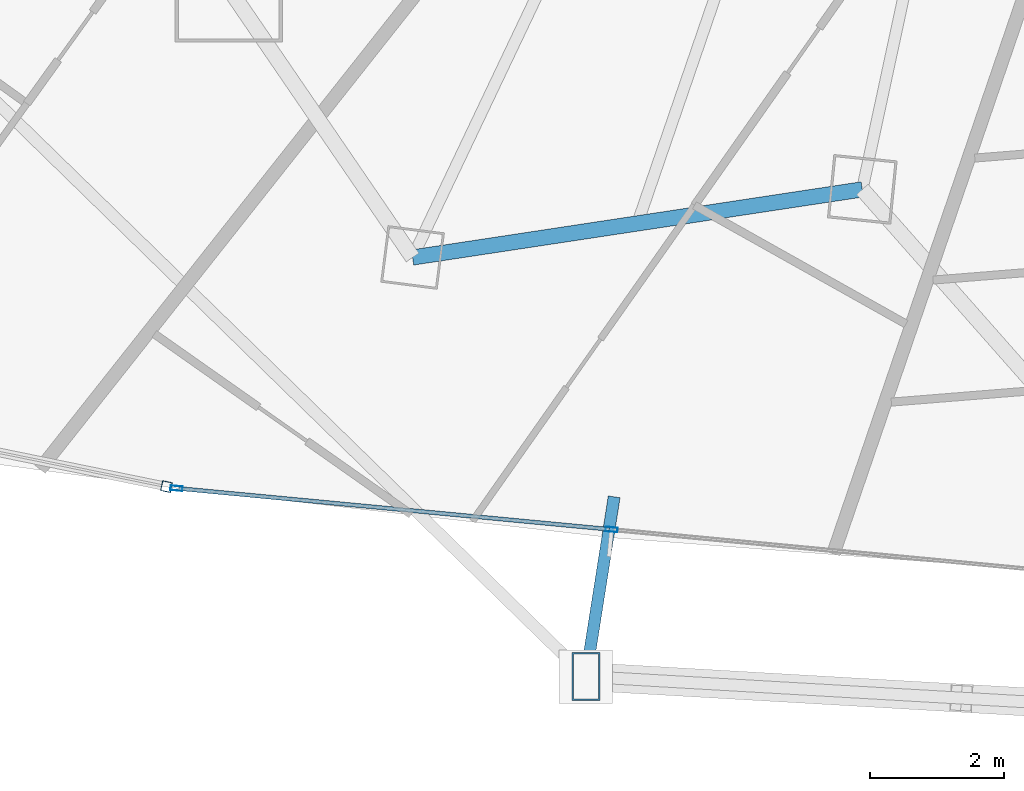
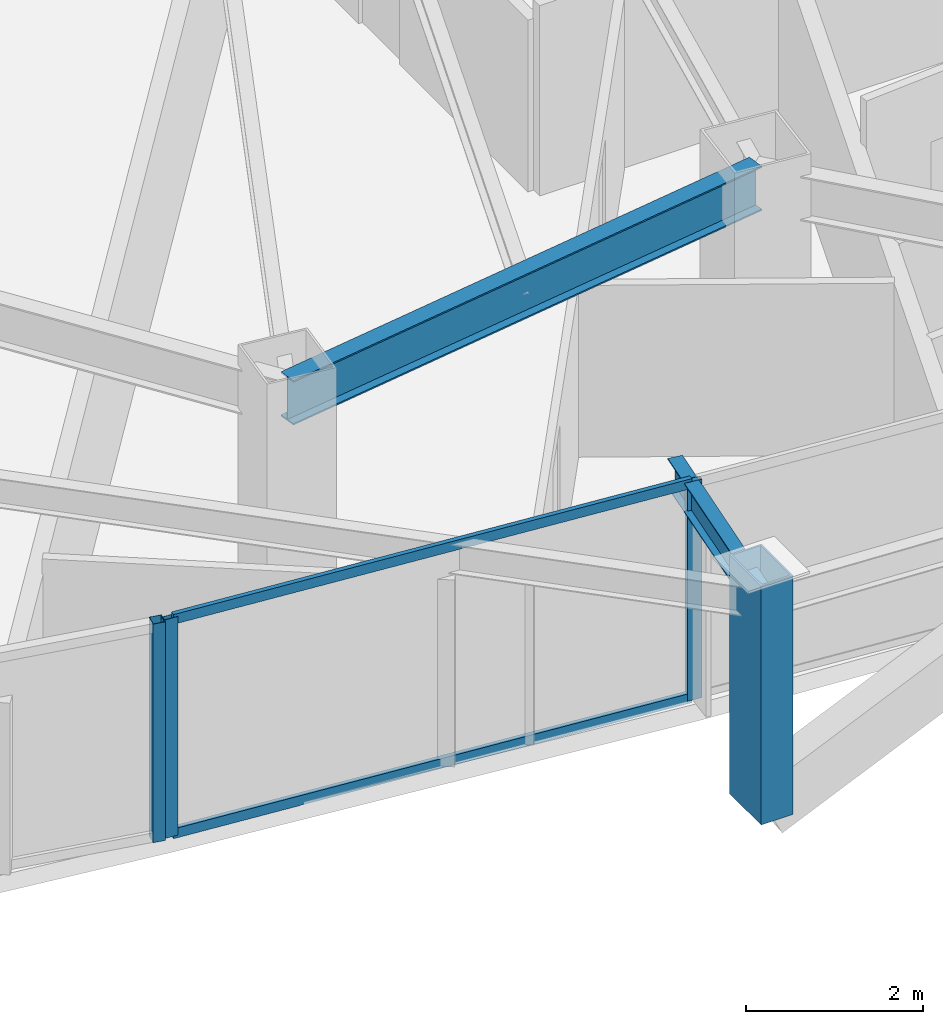
# One storey, part 4 of 38: 6 members, 2 beams, 2 elements without a shape of their own.
"""IFC4 building model written with IfcOpenShell, lengths in metres."""

from ifc_helpers import new_model, si_unit, direction, frame, origin, origin_2d, place, context, subcontext, project, spatial, hollow_rectangle, i_section, extrude, material, layer, layer_set, material_profile, profile_set, type_object, element, aggregate, save


model = new_model("IFC4")

# Units and contexts
model_context = context("Model", 3, precision=1e-05, world=origin(), true_north=direction((0.0, 1.0)))
body_context = subcontext(model_context, "Body", "Model", "MODEL_VIEW")
ifc_project = project(units=[si_unit("LENGTHUNIT", "METRE"), si_unit("AREAUNIT", "SQUARE_METRE"), si_unit("VOLUMEUNIT", "CUBIC_METRE"), si_unit("PLANEANGLEUNIT", "RADIAN"), si_unit("MASSUNIT", "GRAM", prefix="KILO")], contexts=[model_context])

# Site, building, storey
site_placement = place(None, origin())
site = spatial("IfcSite", under=ifc_project, at=site_placement, CompositionType="ELEMENT")
building_placement = place(site_placement, origin())
building = spatial("IfcBuilding", under=site, at=building_placement, Name="Orvanel Arch Residences", CompositionType="ELEMENT")
storey_placement = place(building_placement, frame((0.0, 0.0, 56.60009765625)))
storey = spatial("IfcBuildingStorey", under=building, at=storey_placement, Name="L15", CompositionType="ELEMENT", Elevation=56.60009765625)

# Member
ifc_material_1 = material(Name="Structural steel AS/NZS 3678 Grade 350", Category="steel")
ifc_material_profile_1 = material_profile(ifc_material_1, hollow_rectangle(XDim=0.419921875, YDim=0.719970703125, WallThickness=0.02490234375, at=origin_2d()), Name="RHS720x420x25")
ifc_profile_set_1 = profile_set([ifc_material_profile_1], Name="Structural steel AS/NZS 3678 Grade 350")
member_type_1 = type_object("IfcMemberType", Name="CH-720RHS-EXT", PredefinedType="CHORD", material=ifc_profile_set_1)
member_1_placement = place(storey_placement, frame((19.52587890625, 0.087890625, 0.0), z_axis=(0.0, 0.0, 1.0), x_axis=(1.0, 0.0, 0.0)))
element("IfcMember", 1, at=member_1_placement, inside=storey, type_object=member_type_1, Name="L15 Outer Perimeter Frame Post 05", PredefinedType="CHORD", context=body_context, shape_type="SweptSolid", body=[
    extrude(hollow_rectangle(XDim=0.419921875, YDim=0.719970703125, WallThickness=0.02490234375, at=origin_2d()), origin(), (0.0, 0.0, 1.0), 3.2998046875),
])

# Curtain wall, member
ifc_material_2 = material(Name="Bronze-anodised aluminium AA6063-T6", Category="aluminium")
ifc_layer_1 = layer(ifc_material_2, 0.18994140625)
ifc_layer_set_1 = layer_set([ifc_layer_1], Name="Bronze-anodised aluminium AA6063-T6")
curtain_wall_type_1 = type_object("IfcCurtainWallType", Name="CW5-CRN-SYS", PredefinedType="NOTDEFINED", material=ifc_layer_set_1)
curtain_wall_1_placement = place(storey_placement, origin())
curtain_wall_1 = element("IfcCurtainWall", 2, at=curtain_wall_1_placement, inside=storey, type_object=curtain_wall_type_1, Name="L15 CW5-CRN-SYS Unitised Curtain Wall", PredefinedType="NOTDEFINED")
ifc_material_profile_2 = material_profile(ifc_material_2, hollow_rectangle(XDim=0.14990234375, YDim=0.14990234375, WallThickness=0.0048828125, at=origin_2d()), Name="ALU150x150x5")
ifc_profile_set_2 = profile_set([ifc_material_profile_2], Name="Bronze-anodised aluminium AA6063-T6")
member_type_2 = type_object("IfcMemberType", Name="MUL-150x150", PredefinedType="MULLION", material=ifc_profile_set_2)
member_2_placement = place(storey_placement, frame((13.2705078125, 2.9208984375, 0.0), z_axis=(0.0, 0.0, 1.0), x_axis=(0.200235937609, 0.979747706958, 0.0)))
member_2 = element("IfcMember", 3, at=member_2_placement, type_object=member_type_2, Name="CW-S5 mullion 3", PredefinedType="MULLION", context=body_context, shape_type="SweptSolid", body=[
    extrude(hollow_rectangle(XDim=0.14990234375, YDim=0.14990234375, WallThickness=0.0048828125, at=origin_2d()), origin(), (0.0, 0.0, 1.0), 3.02001953125),
])
aggregate(curtain_wall_1, [member_2])

# Curtain wall, members
ifc_layer_2 = layer(ifc_material_2, 0.179931640625)
ifc_layer_set_2 = layer_set([ifc_layer_2], Name="Bronze-anodised aluminium AA6063-T6")
curtain_wall_type_2 = type_object("IfcCurtainWallType", Name="CW2-LOW-SYS", PredefinedType="NOTDEFINED", material=ifc_layer_set_2)
curtain_wall_2_placement = place(storey_placement, origin())
curtain_wall_2 = element("IfcCurtainWall", 4, at=curtain_wall_2_placement, inside=storey, type_object=curtain_wall_type_2, Name="L15 CW2-LOW-SYS Unitised Curtain Wall", PredefinedType="NOTDEFINED")
ifc_material_profile_3 = material_profile(ifc_material_2, hollow_rectangle(XDim=0.070068359375, YDim=0.179931640625, WallThickness=0.00439453125, at=origin_2d()), Name="ALU180x70x4.5")
ifc_profile_set_3 = profile_set([ifc_material_profile_3], Name="Bronze-anodised aluminium AA6063-T6")
member_type_3 = type_object("IfcMemberType", Name="MUL-180x70", PredefinedType="MULLION", material=ifc_profile_set_3)
member_3_placement = place(storey_placement, frame((13.4189453125, 2.896728515625, 0.0), z_axis=(0.0, 0.0, 1.0), x_axis=(0.094434713682, 0.995531056699, 0.0)))
member_3 = element("IfcMember", 5, at=member_3_placement, type_object=member_type_3, Name="CW-S2 mullion 1", PredefinedType="MULLION", context=body_context, shape_type="SweptSolid", body=[
    extrude(hollow_rectangle(XDim=0.070068359375, YDim=0.179931640625, WallThickness=0.00439453125, at=origin_2d()), origin(), (0.0, 0.0, 1.0), 3.02001953125),
])
member_4_placement = place(storey_placement, frame((19.909423828125, 2.281005859375, 0.0), z_axis=(0.0, 0.0, 1.0), x_axis=(0.094434713682, 0.995531056699, 0.0)))
member_4 = element("IfcMember", 6, at=member_4_placement, type_object=member_type_3, Name="CW-S2 mullion 2", PredefinedType="MULLION", context=body_context, shape_type="SweptSolid", body=[
    extrude(hollow_rectangle(XDim=0.070068359375, YDim=0.179931640625, WallThickness=0.00439453125, at=origin_2d()), origin(), (0.0, 0.0, 1.0), 3.02001953125),
])

# Beams
ifc_material_3 = material(Name="Structural steel AS/NZS 3679.1 Grade 300 (300 MPa)", Category="steel")
ifc_material_profile_4 = material_profile(ifc_material_3, i_section(OverallWidth=0.177978515625, OverallDepth=0.406005859375, WebThickness=0.0078125, FlangeThickness=0.0126953125, at=origin_2d()), Name="410UB59.7")
ifc_profile_set_4 = profile_set([ifc_material_profile_4], Name="Structural steel AS/NZS 3679.1 Grade 300 (300 MPa)")
beam_type_1 = type_object("IfcBeamType", Name="OB-410UB-EXT", PredefinedType="SPANDREL", material=ifc_profile_set_4)
beam_1_placement = place(storey_placement, frame((19.947998046875, 2.76904296875, 2.81689453125), z_axis=(-0.155523747391, -0.987832153758, 0.0), x_axis=(0.987832153758, -0.155523747391, 0.0)))
element("IfcBeam", 7, at=beam_1_placement, inside=storey, type_object=beam_type_1, Name="L15 Outer Frame Radial Tie Beam 05", PredefinedType="SPANDREL", context=body_context, shape_type="SweptSolid", body=[
    extrude(i_section(OverallWidth=0.177978515625, OverallDepth=0.406005859375, WebThickness=0.0078125, FlangeThickness=0.0126953125, at=origin_2d()), origin(), (0.0, 0.0, 1.0), 2.714111328125),
])
ifc_material_profile_5 = material_profile(ifc_material_3, i_section(OverallWidth=0.22900390625, OverallDepth=0.612060546875, WebThickness=0.011962890625, FlangeThickness=0.01953125, at=origin_2d()), Name="610UB125")
ifc_profile_set_5 = profile_set([ifc_material_profile_5], Name="Structural steel AS/NZS 3679.1 Grade 300 (300 MPa)")
beam_type_2 = type_object("IfcBeamType", Name="SP-610UB", PredefinedType="SPANDREL", material=ifc_profile_set_5)
beam_2_placement = place(storey_placement, frame((16.94091796875, 6.339111328125, 2.7138671875), z_axis=(0.988726323014, 0.149733958002, 0.0), x_axis=(-0.149733958002, 0.988726323014, 0.0)))
element("IfcBeam", 8, at=beam_2_placement, inside=storey, type_object=beam_type_2, Name="L15 Perimeter Spandrel Beam 04", PredefinedType="SPANDREL", context=body_context, shape_type="SweptSolid", body=[
    extrude(i_section(OverallWidth=0.22900390625, OverallDepth=0.612060546875, WebThickness=0.011962890625, FlangeThickness=0.01953125, at=origin_2d()), origin(), (0.0, 0.0, 1.0), 6.784423828125),
])

# Member
ifc_material_profile_6 = material_profile(ifc_material_2, hollow_rectangle(XDim=0.06005859375, YDim=0.135009765625, WallThickness=0.00390625, at=origin_2d()), Name="ALU135x60x4")
ifc_profile_set_6 = profile_set([ifc_material_profile_6], Name="Bronze-anodised aluminium AA6063-T6")
member_type_4 = type_object("IfcMemberType", Name="TRN-135x60", PredefinedType="USERDEFINED", material=ifc_profile_set_6)
member_5_placement = place(storey_placement, frame((13.45361328125, 2.893310546875, 0.02978515625), z_axis=(0.995534176514, -0.094401818799, 0.0), x_axis=(0.094401818799, 0.995534176514, 0.0)))
member_5 = element("IfcMember", 9, at=member_5_placement, type_object=member_type_4, Name="CW-S2 transom 1.1", ObjectType="TRANSOM", PredefinedType="USERDEFINED", context=body_context, shape_type="SweptSolid", body=[
    extrude(hollow_rectangle(XDim=0.06005859375, YDim=0.135009765625, WallThickness=0.00390625, at=origin_2d()), origin(), (0.0, 0.0, 1.0), 6.449951171875),
])

member_6_placement = place(storey_placement, frame((13.45361328125, 2.893310546875, 2.989990234375), z_axis=(0.995534176514, -0.094401818799, 0.0), x_axis=(0.094401818799, 0.995534176514, 0.0)))
member_6 = element("IfcMember", 10, at=member_6_placement, type_object=member_type_4, Name="CW-S2 transom 1.2", ObjectType="TRANSOM", PredefinedType="USERDEFINED", context=body_context, shape_type="SweptSolid", body=[
    extrude(hollow_rectangle(XDim=0.06005859375, YDim=0.135009765625, WallThickness=0.00390625, at=origin_2d()), origin(), (0.0, 0.0, 1.0), 6.449951171875),
])

aggregate(curtain_wall_2, [member_3, member_4, member_5, member_6])

save(model, "model.ifc")
